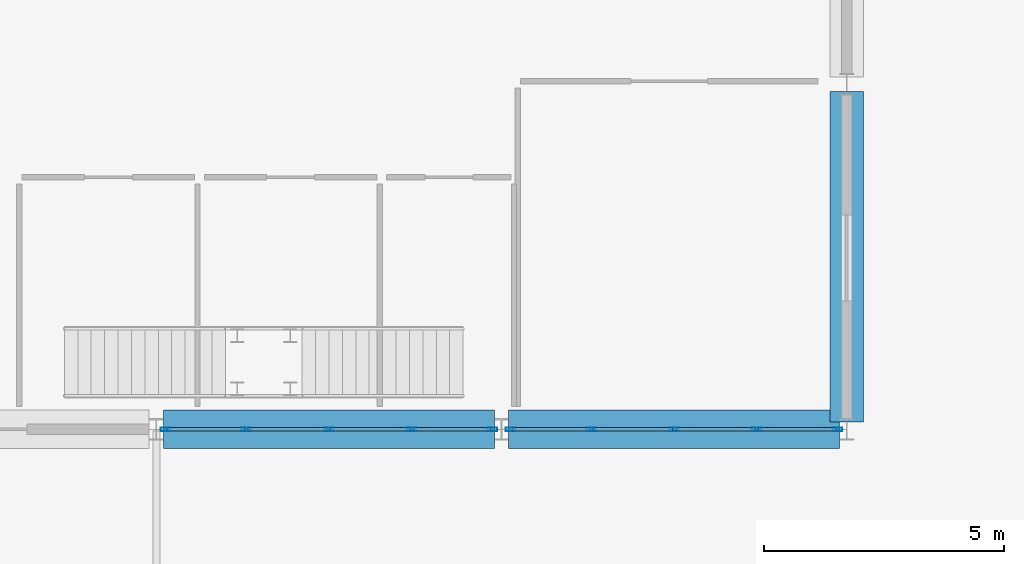
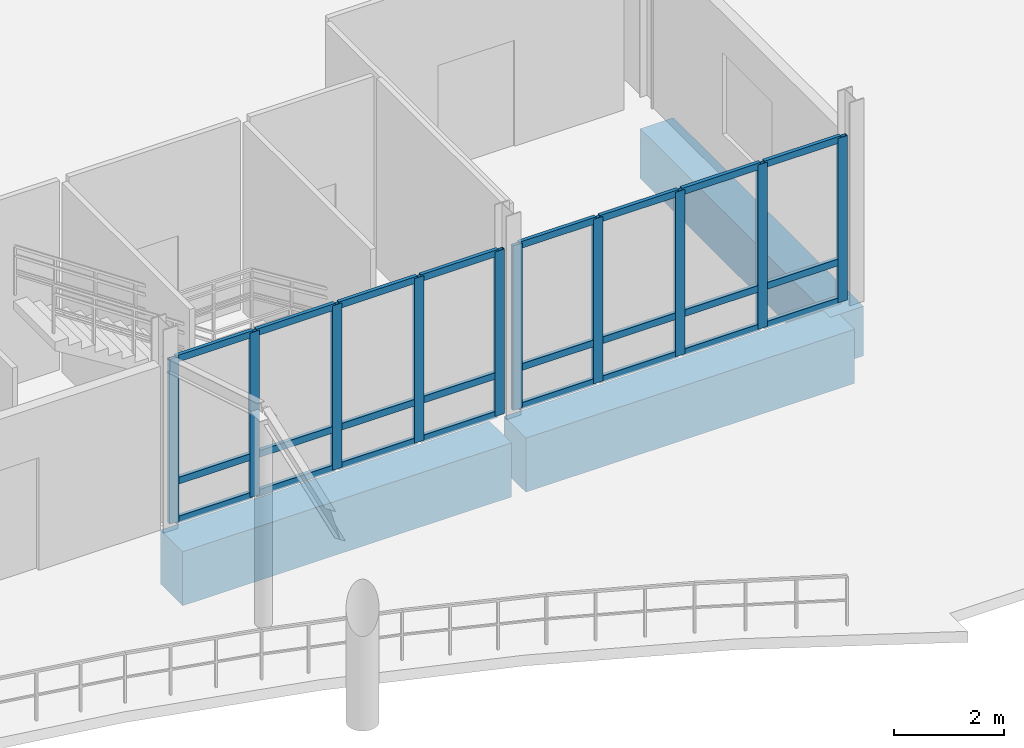
# One storey, part 42 of 139: 34 members, 3 beams, 2 elements without a shape of their own.
"""IFC4 building model written with IfcOpenShell, lengths in metres."""

from ifc_helpers import new_model, si_unit, direction, frame, origin, origin_2d, place, context, subcontext, project, spatial, rectangle, hollow_rectangle, extrude, material, material_profile, profile_set, type_object, element, aggregate, save


model = new_model("IFC4")

# Units and contexts
model_context = context("Model", 3, precision=1e-05, world=origin(), true_north=direction((0.0, 1.0)))
body_context = subcontext(model_context, "Body", "Model", "MODEL_VIEW")
ifc_project = project(units=[si_unit("LENGTHUNIT", "METRE"), si_unit("AREAUNIT", "SQUARE_METRE"), si_unit("VOLUMEUNIT", "CUBIC_METRE"), si_unit("PLANEANGLEUNIT", "RADIAN"), si_unit("MASSUNIT", "GRAM", prefix="KILO")], contexts=[model_context])

# Site, building, storey
site_placement = place(None, origin())
site = spatial("IfcSite", under=ifc_project, at=site_placement, CompositionType="ELEMENT")
building_placement = place(site_placement, origin())
building = spatial("IfcBuilding", under=site, at=building_placement, Name="Suanplinth Sawtooth Commons", CompositionType="ELEMENT")
storey_placement = place(building_placement, origin())
storey = spatial("IfcBuildingStorey", under=building, at=storey_placement, Name="L00", CompositionType="ELEMENT", Elevation=0.0)

# Beams
ifc_material_1 = material(Name="Concrete C40/50", Category="concrete")
ifc_material_profile_1 = material_profile(ifc_material_1, rectangle(XDim=0.800048828125, YDim=1.199951171875, at=origin_2d()), Name="RC-TG 800x1200")
ifc_profile_set_1 = profile_set([ifc_material_profile_1], Name="Concrete C40/50")
beam_type_1 = type_object("IfcBeamType", Name="B-01", PredefinedType="USERDEFINED", material=ifc_profile_set_1)
for number, where, z_axis, x_axis, name in (
    (1, (100.949951171875, 50.39990234375, -1.010009765625), (1.0, 0.0, 0.0), (0.0, 1.0, 0.0), "BMX-L00-HALL-14-7"),
    (2, (108.14990234375, 50.39990234375, -1.010009765625), (1.0, 0.0, 0.0), (0.0, 1.0, 0.0), "BMX-L00-HALL-15-7"),
):
    element("IfcBeam", number, at=place(storey_placement, frame(where, z_axis=z_axis, x_axis=x_axis)), inside=storey, type_object=beam_type_1, Name=name, ObjectType="GIRDER", PredefinedType="USERDEFINED", context=body_context, shape_type="SweptSolid", body=[
        extrude(rectangle(XDim=0.800048828125, YDim=1.199951171875, at=origin_2d()), origin(), (0.0, 0.0, 1.0), 6.900146484375),
    ])
ifc_material_profile_2 = material_profile(ifc_material_1, rectangle(XDim=0.699951171875, YDim=1.10009765625, at=origin_2d()), Name="RC-TG 700x1100")
ifc_profile_set_2 = profile_set([ifc_material_profile_2], Name="Concrete C40/50")
beam_type_2 = type_object("IfcBeamType", Name="B-02", PredefinedType="USERDEFINED", material=ifc_profile_set_2)
beam_placement = place(storey_placement, frame((115.199951171875, 50.550048828125, -0.9599609375), z_axis=(0.0, 1.0, 0.0), x_axis=(-1.0, 0.0, 0.0)))
element("IfcBeam", 3, at=beam_placement, inside=storey, type_object=beam_type_2, Name="BMY-L00-HALL-16-7", ObjectType="GIRDER", PredefinedType="USERDEFINED", context=body_context, shape_type="SweptSolid", body=[
    extrude(rectangle(XDim=0.699951171875, YDim=1.10009765625, at=origin_2d()), origin(), (0.0, 0.0, 1.0), 6.89990234375),
])

# Curtain wall, members
ifc_material_2 = material(Name="Anodized aluminium and low-E glazing", Category="aluminium")
curtain_wall_type = type_object("IfcCurtainWallType", Name="CW-01", PredefinedType="USERDEFINED", material=ifc_material_2)
curtain_wall_1_placement = place(storey_placement, origin())
curtain_wall_1 = element("IfcCurtainWall", 4, at=curtain_wall_1_placement, inside=storey, type_object=curtain_wall_type, Name="Curtain Wall CW-L00-HALL-S-5", ObjectType="CURTAIN WALL", PredefinedType="USERDEFINED")
ifc_material_3 = material(Name="Anodized aluminium 6063-T6", Category="aluminium")
ifc_material_profile_3 = material_profile(ifc_material_3, hollow_rectangle(XDim=0.074951171875, YDim=0.199951171875, WallThickness=0.0048828125, at=origin_2d()), Name="ALU-MUL 75x200")
ifc_profile_set_3 = profile_set([ifc_material_profile_3], Name="Anodized aluminium 6063-T6")
member_type_1 = type_object("IfcMemberType", Name="M-14", PredefinedType="MULLION", material=ifc_profile_set_3)
member_1_placement = place(storey_placement, frame((100.987548828125, 50.39990234375, 0.0), z_axis=(0.0, 0.0, 1.0), x_axis=(0.0, 1.0, 0.0)))
member_1 = element("IfcMember", 5, at=member_1_placement, type_object=member_type_1, Name="CW-01 mullion 1", PredefinedType="MULLION", context=body_context, shape_type="SweptSolid", body=[
    extrude(hollow_rectangle(XDim=0.074951171875, YDim=0.199951171875, WallThickness=0.0048828125, at=origin_2d()), origin(), (0.0, 0.0, 1.0), 3.64990234375),
])
member_2_placement = place(storey_placement, frame((102.675048828125, 50.39990234375, 0.0), z_axis=(0.0, 0.0, 1.0), x_axis=(0.0, 1.0, 0.0)))
member_2 = element("IfcMember", 6, at=member_2_placement, type_object=member_type_1, Name="CW-01 mullion 2", PredefinedType="MULLION", context=body_context, shape_type="SweptSolid", body=[
    extrude(hollow_rectangle(XDim=0.074951171875, YDim=0.199951171875, WallThickness=0.0048828125, at=origin_2d()), origin(), (0.0, 0.0, 1.0), 3.64990234375),
])
member_3_placement = place(storey_placement, frame((104.39990234375, 50.39990234375, 0.0), z_axis=(0.0, 0.0, 1.0), x_axis=(0.0, 1.0, 0.0)))
member_3 = element("IfcMember", 7, at=member_3_placement, type_object=member_type_1, Name="CW-01 mullion 3", PredefinedType="MULLION", context=body_context, shape_type="SweptSolid", body=[
    extrude(hollow_rectangle(XDim=0.074951171875, YDim=0.199951171875, WallThickness=0.0048828125, at=origin_2d()), origin(), (0.0, 0.0, 1.0), 3.64990234375),
])
member_4_placement = place(storey_placement, frame((106.125, 50.39990234375, 0.0), z_axis=(0.0, 0.0, 1.0), x_axis=(0.0, 1.0, 0.0)))
member_4 = element("IfcMember", 8, at=member_4_placement, type_object=member_type_1, Name="CW-01 mullion 4", PredefinedType="MULLION", context=body_context, shape_type="SweptSolid", body=[
    extrude(hollow_rectangle(XDim=0.074951171875, YDim=0.199951171875, WallThickness=0.0048828125, at=origin_2d()), origin(), (0.0, 0.0, 1.0), 3.64990234375),
])
member_5_placement = place(storey_placement, frame((107.8125, 50.39990234375, 0.0), z_axis=(0.0, 0.0, 1.0), x_axis=(0.0, 1.0, 0.0)))
member_5 = element("IfcMember", 9, at=member_5_placement, type_object=member_type_1, Name="CW-01 mullion 5", PredefinedType="MULLION", context=body_context, shape_type="SweptSolid", body=[
    extrude(hollow_rectangle(XDim=0.074951171875, YDim=0.199951171875, WallThickness=0.0048828125, at=origin_2d()), origin(), (0.0, 0.0, 1.0), 3.64990234375),
])

curtain_wall_2_placement = place(storey_placement, origin())
curtain_wall_2 = element("IfcCurtainWall", 10, at=curtain_wall_2_placement, inside=storey, type_object=curtain_wall_type, Name="Curtain Wall CW-L00-HALL-S-6", ObjectType="CURTAIN WALL", PredefinedType="USERDEFINED")
member_6_placement = place(storey_placement, frame((108.1875, 50.39990234375, 0.0), z_axis=(0.0, 0.0, 1.0), x_axis=(0.0, 1.0, 0.0)))
member_6 = element("IfcMember", 11, at=member_6_placement, type_object=member_type_1, Name="CW-01 mullion 1", PredefinedType="MULLION", context=body_context, shape_type="SweptSolid", body=[
    extrude(hollow_rectangle(XDim=0.074951171875, YDim=0.199951171875, WallThickness=0.0048828125, at=origin_2d()), origin(), (0.0, 0.0, 1.0), 3.64990234375),
])
member_7_placement = place(storey_placement, frame((109.875, 50.39990234375, 0.0), z_axis=(0.0, 0.0, 1.0), x_axis=(0.0, 1.0, 0.0)))
member_7 = element("IfcMember", 12, at=member_7_placement, type_object=member_type_1, Name="CW-01 mullion 2", PredefinedType="MULLION", context=body_context, shape_type="SweptSolid", body=[
    extrude(hollow_rectangle(XDim=0.074951171875, YDim=0.199951171875, WallThickness=0.0048828125, at=origin_2d()), origin(), (0.0, 0.0, 1.0), 3.64990234375),
])
member_8_placement = place(storey_placement, frame((111.60009765625, 50.39990234375, 0.0), z_axis=(0.0, 0.0, 1.0), x_axis=(0.0, 1.0, 0.0)))
member_8 = element("IfcMember", 13, at=member_8_placement, type_object=member_type_1, Name="CW-01 mullion 3", PredefinedType="MULLION", context=body_context, shape_type="SweptSolid", body=[
    extrude(hollow_rectangle(XDim=0.074951171875, YDim=0.199951171875, WallThickness=0.0048828125, at=origin_2d()), origin(), (0.0, 0.0, 1.0), 3.64990234375),
])
member_9_placement = place(storey_placement, frame((113.324951171875, 50.39990234375, 0.0), z_axis=(0.0, 0.0, 1.0), x_axis=(0.0, 1.0, 0.0)))
member_9 = element("IfcMember", 14, at=member_9_placement, type_object=member_type_1, Name="CW-01 mullion 4", PredefinedType="MULLION", context=body_context, shape_type="SweptSolid", body=[
    extrude(hollow_rectangle(XDim=0.074951171875, YDim=0.199951171875, WallThickness=0.0048828125, at=origin_2d()), origin(), (0.0, 0.0, 1.0), 3.64990234375),
])
member_10_placement = place(storey_placement, frame((115.012451171875, 50.39990234375, 0.0), z_axis=(0.0, 0.0, 1.0), x_axis=(0.0, 1.0, 0.0)))
member_10 = element("IfcMember", 15, at=member_10_placement, type_object=member_type_1, Name="CW-01 mullion 5", PredefinedType="MULLION", context=body_context, shape_type="SweptSolid", body=[
    extrude(hollow_rectangle(XDim=0.074951171875, YDim=0.199951171875, WallThickness=0.0048828125, at=origin_2d()), origin(), (0.0, 0.0, 1.0), 3.64990234375),
])

# Member
ifc_material_profile_4 = material_profile(ifc_material_3, hollow_rectangle(XDim=0.074951171875, YDim=0.14990234375, WallThickness=0.00439453125, at=origin_2d()), Name="ALU-TRN 75x150")
ifc_profile_set_4 = profile_set([ifc_material_profile_4], Name="Anodized aluminium 6063-T6")
member_type_2 = type_object("IfcMemberType", Name="M-16", PredefinedType="USERDEFINED", material=ifc_profile_set_4)
member_11_placement = place(storey_placement, frame((101.02490234375, 50.39990234375, 0.03759765625), z_axis=(1.0, 0.0, 0.0), x_axis=(0.0, 1.0, 0.0)))
member_11 = element("IfcMember", 16, at=member_11_placement, type_object=member_type_2, Name="CW-01 transom 1.1", ObjectType="TRANSOM", PredefinedType="USERDEFINED", context=body_context, shape_type="SweptSolid", body=[
    extrude(hollow_rectangle(XDim=0.074951171875, YDim=0.14990234375, WallThickness=0.00439453125, at=origin_2d()), origin(), (0.0, 0.0, 1.0), 1.612548828125),
])

member_12_placement = place(storey_placement, frame((101.02490234375, 50.39990234375, 0.89990234375), z_axis=(1.0, 0.0, 0.0), x_axis=(0.0, 1.0, 0.0)))
member_12 = element("IfcMember", 17, at=member_12_placement, type_object=member_type_2, Name="CW-01 transom 1.2", ObjectType="TRANSOM", PredefinedType="USERDEFINED", context=body_context, shape_type="SweptSolid", body=[
    extrude(hollow_rectangle(XDim=0.074951171875, YDim=0.14990234375, WallThickness=0.00439453125, at=origin_2d()), origin(), (0.0, 0.0, 1.0), 1.612548828125),
])

member_13_placement = place(storey_placement, frame((101.02490234375, 50.39990234375, 3.612548828125), z_axis=(1.0, 0.0, 0.0), x_axis=(0.0, 1.0, 0.0)))
member_13 = element("IfcMember", 18, at=member_13_placement, type_object=member_type_2, Name="CW-01 transom 1.3", ObjectType="TRANSOM", PredefinedType="USERDEFINED", context=body_context, shape_type="SweptSolid", body=[
    extrude(hollow_rectangle(XDim=0.074951171875, YDim=0.14990234375, WallThickness=0.00439453125, at=origin_2d()), origin(), (0.0, 0.0, 1.0), 1.612548828125),
])

member_14_placement = place(storey_placement, frame((102.71240234375, 50.39990234375, 0.03759765625), z_axis=(1.0, 0.0, 0.0), x_axis=(0.0, 1.0, 0.0)))
member_14 = element("IfcMember", 19, at=member_14_placement, type_object=member_type_2, Name="CW-01 transom 2.1", ObjectType="TRANSOM", PredefinedType="USERDEFINED", context=body_context, shape_type="SweptSolid", body=[
    extrude(hollow_rectangle(XDim=0.074951171875, YDim=0.14990234375, WallThickness=0.00439453125, at=origin_2d()), origin(), (0.0, 0.0, 1.0), 1.650146484375),
])

member_15_placement = place(storey_placement, frame((102.71240234375, 50.39990234375, 0.89990234375), z_axis=(1.0, 0.0, 0.0), x_axis=(0.0, 1.0, 0.0)))
member_15 = element("IfcMember", 20, at=member_15_placement, type_object=member_type_2, Name="CW-01 transom 2.2", ObjectType="TRANSOM", PredefinedType="USERDEFINED", context=body_context, shape_type="SweptSolid", body=[
    extrude(hollow_rectangle(XDim=0.074951171875, YDim=0.14990234375, WallThickness=0.00439453125, at=origin_2d()), origin(), (0.0, 0.0, 1.0), 1.650146484375),
])

member_16_placement = place(storey_placement, frame((102.71240234375, 50.39990234375, 3.612548828125), z_axis=(1.0, 0.0, 0.0), x_axis=(0.0, 1.0, 0.0)))
member_16 = element("IfcMember", 21, at=member_16_placement, type_object=member_type_2, Name="CW-01 transom 2.3", ObjectType="TRANSOM", PredefinedType="USERDEFINED", context=body_context, shape_type="SweptSolid", body=[
    extrude(hollow_rectangle(XDim=0.074951171875, YDim=0.14990234375, WallThickness=0.00439453125, at=origin_2d()), origin(), (0.0, 0.0, 1.0), 1.650146484375),
])

member_17_placement = place(storey_placement, frame((104.4375, 50.39990234375, 0.03759765625), z_axis=(1.0, 0.0, 0.0), x_axis=(0.0, 1.0, 0.0)))
member_17 = element("IfcMember", 22, at=member_17_placement, type_object=member_type_2, Name="CW-01 transom 3.1", ObjectType="TRANSOM", PredefinedType="USERDEFINED", context=body_context, shape_type="SweptSolid", body=[
    extrude(hollow_rectangle(XDim=0.074951171875, YDim=0.14990234375, WallThickness=0.00439453125, at=origin_2d()), origin(), (0.0, 0.0, 1.0), 1.64990234375),
])

member_18_placement = place(storey_placement, frame((104.4375, 50.39990234375, 0.89990234375), z_axis=(1.0, 0.0, 0.0), x_axis=(0.0, 1.0, 0.0)))
member_18 = element("IfcMember", 23, at=member_18_placement, type_object=member_type_2, Name="CW-01 transom 3.2", ObjectType="TRANSOM", PredefinedType="USERDEFINED", context=body_context, shape_type="SweptSolid", body=[
    extrude(hollow_rectangle(XDim=0.074951171875, YDim=0.14990234375, WallThickness=0.00439453125, at=origin_2d()), origin(), (0.0, 0.0, 1.0), 1.64990234375),
])

member_19_placement = place(storey_placement, frame((104.4375, 50.39990234375, 3.612548828125), z_axis=(1.0, 0.0, 0.0), x_axis=(0.0, 1.0, 0.0)))
member_19 = element("IfcMember", 24, at=member_19_placement, type_object=member_type_2, Name="CW-01 transom 3.3", ObjectType="TRANSOM", PredefinedType="USERDEFINED", context=body_context, shape_type="SweptSolid", body=[
    extrude(hollow_rectangle(XDim=0.074951171875, YDim=0.14990234375, WallThickness=0.00439453125, at=origin_2d()), origin(), (0.0, 0.0, 1.0), 1.64990234375),
])

member_20_placement = place(storey_placement, frame((106.16259765625, 50.39990234375, 0.03759765625), z_axis=(1.0, 0.0, 0.0), x_axis=(0.0, 1.0, 0.0)))
member_20 = element("IfcMember", 25, at=member_20_placement, type_object=member_type_2, Name="CW-01 transom 4.1", ObjectType="TRANSOM", PredefinedType="USERDEFINED", context=body_context, shape_type="SweptSolid", body=[
    extrude(hollow_rectangle(XDim=0.074951171875, YDim=0.14990234375, WallThickness=0.00439453125, at=origin_2d()), origin(), (0.0, 0.0, 1.0), 1.6123046875),
])

member_21_placement = place(storey_placement, frame((106.16259765625, 50.39990234375, 0.89990234375), z_axis=(1.0, 0.0, 0.0), x_axis=(0.0, 1.0, 0.0)))
member_21 = element("IfcMember", 26, at=member_21_placement, type_object=member_type_2, Name="CW-01 transom 4.2", ObjectType="TRANSOM", PredefinedType="USERDEFINED", context=body_context, shape_type="SweptSolid", body=[
    extrude(hollow_rectangle(XDim=0.074951171875, YDim=0.14990234375, WallThickness=0.00439453125, at=origin_2d()), origin(), (0.0, 0.0, 1.0), 1.6123046875),
])

member_22_placement = place(storey_placement, frame((106.16259765625, 50.39990234375, 3.612548828125), z_axis=(1.0, 0.0, 0.0), x_axis=(0.0, 1.0, 0.0)))
member_22 = element("IfcMember", 27, at=member_22_placement, type_object=member_type_2, Name="CW-01 transom 4.3", ObjectType="TRANSOM", PredefinedType="USERDEFINED", context=body_context, shape_type="SweptSolid", body=[
    extrude(hollow_rectangle(XDim=0.074951171875, YDim=0.14990234375, WallThickness=0.00439453125, at=origin_2d()), origin(), (0.0, 0.0, 1.0), 1.6123046875),
])

aggregate(curtain_wall_1, [member_1, member_2, member_3, member_4, member_5, member_11, member_12, member_13, member_14, member_15, member_16, member_17, member_18, member_19, member_20, member_21, member_22])

member_23_placement = place(storey_placement, frame((108.22509765625, 50.39990234375, 0.03759765625), z_axis=(1.0, 0.0, 0.0), x_axis=(0.0, 1.0, 0.0)))
member_23 = element("IfcMember", 28, at=member_23_placement, type_object=member_type_2, Name="CW-01 transom 1.1", ObjectType="TRANSOM", PredefinedType="USERDEFINED", context=body_context, shape_type="SweptSolid", body=[
    extrude(hollow_rectangle(XDim=0.074951171875, YDim=0.14990234375, WallThickness=0.00439453125, at=origin_2d()), origin(), (0.0, 0.0, 1.0), 1.6123046875),
])

member_24_placement = place(storey_placement, frame((108.22509765625, 50.39990234375, 0.89990234375), z_axis=(1.0, 0.0, 0.0), x_axis=(0.0, 1.0, 0.0)))
member_24 = element("IfcMember", 29, at=member_24_placement, type_object=member_type_2, Name="CW-01 transom 1.2", ObjectType="TRANSOM", PredefinedType="USERDEFINED", context=body_context, shape_type="SweptSolid", body=[
    extrude(hollow_rectangle(XDim=0.074951171875, YDim=0.14990234375, WallThickness=0.00439453125, at=origin_2d()), origin(), (0.0, 0.0, 1.0), 1.6123046875),
])

member_25_placement = place(storey_placement, frame((108.22509765625, 50.39990234375, 3.612548828125), z_axis=(1.0, 0.0, 0.0), x_axis=(0.0, 1.0, 0.0)))
member_25 = element("IfcMember", 30, at=member_25_placement, type_object=member_type_2, Name="CW-01 transom 1.3", ObjectType="TRANSOM", PredefinedType="USERDEFINED", context=body_context, shape_type="SweptSolid", body=[
    extrude(hollow_rectangle(XDim=0.074951171875, YDim=0.14990234375, WallThickness=0.00439453125, at=origin_2d()), origin(), (0.0, 0.0, 1.0), 1.6123046875),
])

member_26_placement = place(storey_placement, frame((109.91259765625, 50.39990234375, 0.03759765625), z_axis=(1.0, 0.0, 0.0), x_axis=(0.0, 1.0, 0.0)))
member_26 = element("IfcMember", 31, at=member_26_placement, type_object=member_type_2, Name="CW-01 transom 2.1", ObjectType="TRANSOM", PredefinedType="USERDEFINED", context=body_context, shape_type="SweptSolid", body=[
    extrude(hollow_rectangle(XDim=0.074951171875, YDim=0.14990234375, WallThickness=0.00439453125, at=origin_2d()), origin(), (0.0, 0.0, 1.0), 1.64990234375),
])

member_27_placement = place(storey_placement, frame((109.91259765625, 50.39990234375, 0.89990234375), z_axis=(1.0, 0.0, 0.0), x_axis=(0.0, 1.0, 0.0)))
member_27 = element("IfcMember", 32, at=member_27_placement, type_object=member_type_2, Name="CW-01 transom 2.2", ObjectType="TRANSOM", PredefinedType="USERDEFINED", context=body_context, shape_type="SweptSolid", body=[
    extrude(hollow_rectangle(XDim=0.074951171875, YDim=0.14990234375, WallThickness=0.00439453125, at=origin_2d()), origin(), (0.0, 0.0, 1.0), 1.64990234375),
])

member_28_placement = place(storey_placement, frame((109.91259765625, 50.39990234375, 3.612548828125), z_axis=(1.0, 0.0, 0.0), x_axis=(0.0, 1.0, 0.0)))
member_28 = element("IfcMember", 33, at=member_28_placement, type_object=member_type_2, Name="CW-01 transom 2.3", ObjectType="TRANSOM", PredefinedType="USERDEFINED", context=body_context, shape_type="SweptSolid", body=[
    extrude(hollow_rectangle(XDim=0.074951171875, YDim=0.14990234375, WallThickness=0.00439453125, at=origin_2d()), origin(), (0.0, 0.0, 1.0), 1.64990234375),
])

member_29_placement = place(storey_placement, frame((111.637451171875, 50.39990234375, 0.03759765625), z_axis=(1.0, 0.0, 0.0), x_axis=(0.0, 1.0, 0.0)))
member_29 = element("IfcMember", 34, at=member_29_placement, type_object=member_type_2, Name="CW-01 transom 3.1", ObjectType="TRANSOM", PredefinedType="USERDEFINED", context=body_context, shape_type="SweptSolid", body=[
    extrude(hollow_rectangle(XDim=0.074951171875, YDim=0.14990234375, WallThickness=0.00439453125, at=origin_2d()), origin(), (0.0, 0.0, 1.0), 1.650146484375),
])

member_30_placement = place(storey_placement, frame((111.637451171875, 50.39990234375, 0.89990234375), z_axis=(1.0, 0.0, 0.0), x_axis=(0.0, 1.0, 0.0)))
member_30 = element("IfcMember", 35, at=member_30_placement, type_object=member_type_2, Name="CW-01 transom 3.2", ObjectType="TRANSOM", PredefinedType="USERDEFINED", context=body_context, shape_type="SweptSolid", body=[
    extrude(hollow_rectangle(XDim=0.074951171875, YDim=0.14990234375, WallThickness=0.00439453125, at=origin_2d()), origin(), (0.0, 0.0, 1.0), 1.650146484375),
])

member_31_placement = place(storey_placement, frame((111.637451171875, 50.39990234375, 3.612548828125), z_axis=(1.0, 0.0, 0.0), x_axis=(0.0, 1.0, 0.0)))
member_31 = element("IfcMember", 36, at=member_31_placement, type_object=member_type_2, Name="CW-01 transom 3.3", ObjectType="TRANSOM", PredefinedType="USERDEFINED", context=body_context, shape_type="SweptSolid", body=[
    extrude(hollow_rectangle(XDim=0.074951171875, YDim=0.14990234375, WallThickness=0.00439453125, at=origin_2d()), origin(), (0.0, 0.0, 1.0), 1.650146484375),
])

member_32_placement = place(storey_placement, frame((113.362548828125, 50.39990234375, 0.03759765625), z_axis=(1.0, 0.0, 0.0), x_axis=(0.0, 1.0, 0.0)))
member_32 = element("IfcMember", 37, at=member_32_placement, type_object=member_type_2, Name="CW-01 transom 4.1", ObjectType="TRANSOM", PredefinedType="USERDEFINED", context=body_context, shape_type="SweptSolid", body=[
    extrude(hollow_rectangle(XDim=0.074951171875, YDim=0.14990234375, WallThickness=0.00439453125, at=origin_2d()), origin(), (0.0, 0.0, 1.0), 1.612548828125),
])

member_33_placement = place(storey_placement, frame((113.362548828125, 50.39990234375, 0.89990234375), z_axis=(1.0, 0.0, 0.0), x_axis=(0.0, 1.0, 0.0)))
member_33 = element("IfcMember", 38, at=member_33_placement, type_object=member_type_2, Name="CW-01 transom 4.2", ObjectType="TRANSOM", PredefinedType="USERDEFINED", context=body_context, shape_type="SweptSolid", body=[
    extrude(hollow_rectangle(XDim=0.074951171875, YDim=0.14990234375, WallThickness=0.00439453125, at=origin_2d()), origin(), (0.0, 0.0, 1.0), 1.612548828125),
])

member_34_placement = place(storey_placement, frame((113.362548828125, 50.39990234375, 3.612548828125), z_axis=(1.0, 0.0, 0.0), x_axis=(0.0, 1.0, 0.0)))
member_34 = element("IfcMember", 39, at=member_34_placement, type_object=member_type_2, Name="CW-01 transom 4.3", ObjectType="TRANSOM", PredefinedType="USERDEFINED", context=body_context, shape_type="SweptSolid", body=[
    extrude(hollow_rectangle(XDim=0.074951171875, YDim=0.14990234375, WallThickness=0.00439453125, at=origin_2d()), origin(), (0.0, 0.0, 1.0), 1.612548828125),
])

aggregate(curtain_wall_2, [member_6, member_7, member_8, member_9, member_10, member_23, member_24, member_25, member_26, member_27, member_28, member_29, member_30, member_31, member_32, member_33, member_34])

save(model, "model.ifc")
